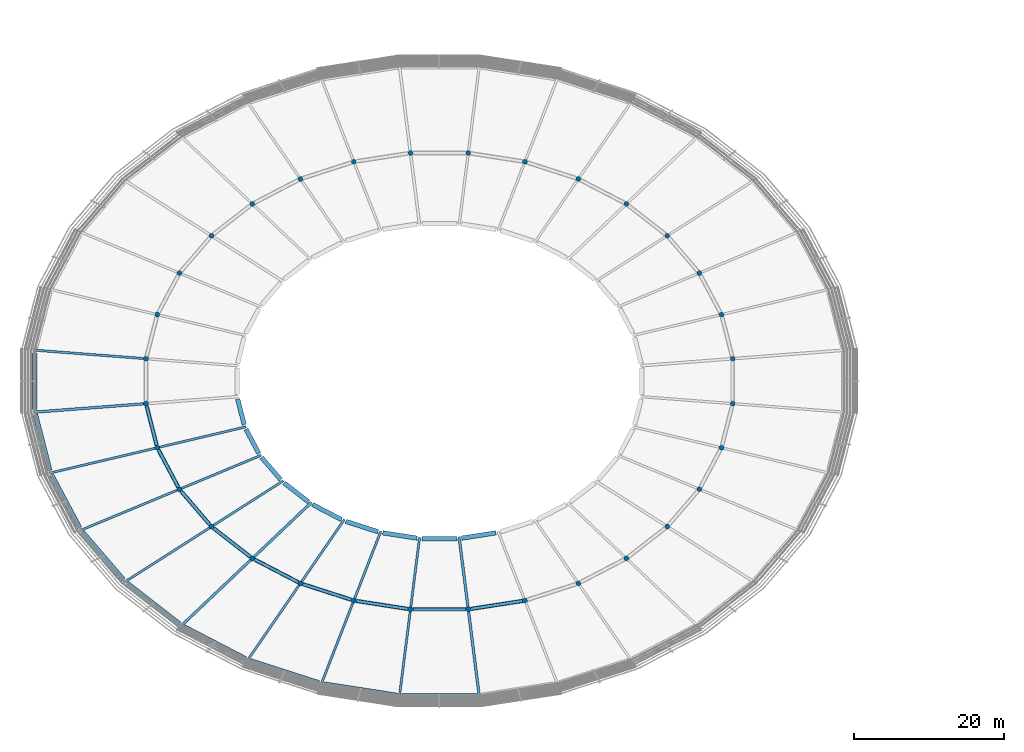
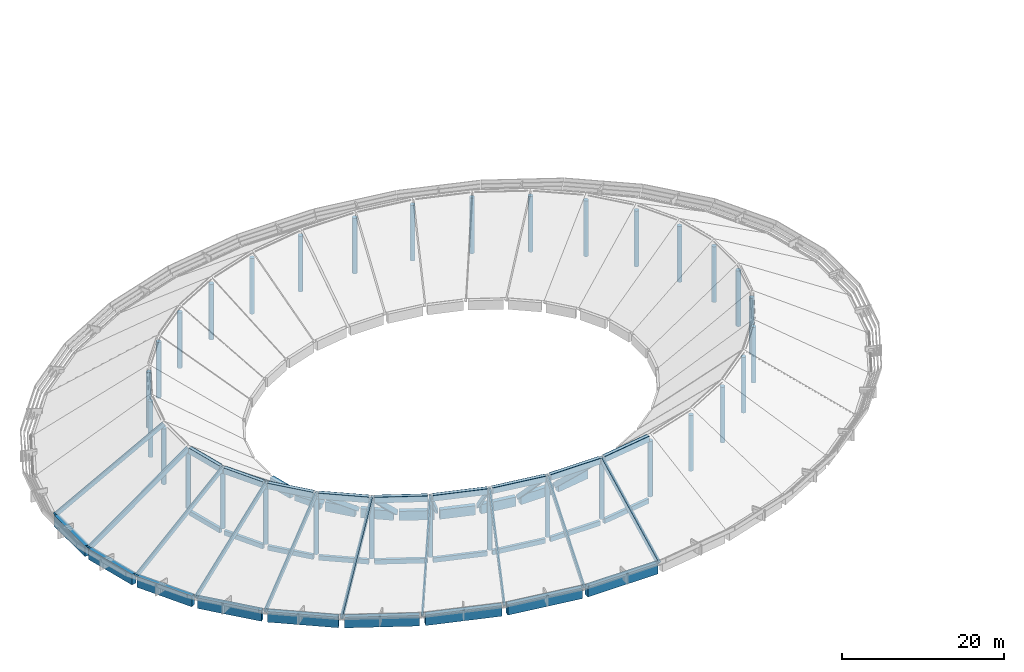
# One storey, part 1 of 15: 54 beams, 32 columns.
"""IFC4 building model written with IfcOpenShell, lengths in metres."""

from ifc_helpers import new_model, si_unit, direction, frame, origin, origin_2d, place, context, subcontext, project, spatial, rectangle, circle, extrude, material, material_profile, profile_set, type_object, element, save


model = new_model("IFC4")

# Units and contexts
model_context = context("Model", 3, precision=1e-05, world=origin(), true_north=direction((0.0, 1.0)))
body_context = subcontext(model_context, "Body", "Model", "MODEL_VIEW")
ifc_project = project(units=[si_unit("LENGTHUNIT", "METRE"), si_unit("AREAUNIT", "SQUARE_METRE"), si_unit("VOLUMEUNIT", "CUBIC_METRE"), si_unit("PLANEANGLEUNIT", "RADIAN"), si_unit("MASSUNIT", "GRAM", prefix="KILO")], contexts=[model_context])

# Site, building, storey
site_placement = place(None, origin())
site = spatial("IfcSite", under=ifc_project, at=site_placement, CompositionType="ELEMENT")
building_placement = place(site_placement, origin())
building = spatial("IfcBuilding", under=site, at=building_placement, Name="Corvandel Quay Wholesale Market", CompositionType="ELEMENT")
storey_placement = place(building_placement, frame((0.0, 0.0, 19.199951171875)))
storey = spatial("IfcBuildingStorey", under=building, at=storey_placement, Name="RF", CompositionType="ELEMENT", Elevation=19.199951171875)

# Columns
ifc_material = material(Name="Precast concrete C45/55", Category="concrete")
ifc_material_profile_1 = material_profile(ifc_material, circle(Radius=0.324951171875, at=origin_2d()), Name="PC-COL-D650")
ifc_profile_set_1 = profile_set([ifc_material_profile_1], Name="Precast concrete C45/55")
column_type = type_object("IfcColumnType", Name="Circular Gallery Column C12 D650", PredefinedType="COLUMN", material=ifc_profile_set_1)
for number, where, z_axis, x_axis, name in (
    (1, (153.14990234375, 44.9990234375, -4.199951171875), (0.0, 0.0, 1.0), (1.0, 0.0, 0.0), "Column COL-0007"),
    (2, (151.64501953125, 50.882080078125, -4.199951171875), (0.0, 0.0, 1.0), (1.0, 0.0, 0.0), "Column COL-0017"),
    (3, (148.694091796875, 56.423095703125, -4.199951171875), (0.0, 0.0, 1.0), (1.0, 0.0, 0.0), "Column COL-0027"),
    (4, (144.409912109375, 61.410888671875, -4.199951171875), (0.0, 0.0, 1.0), (1.0, 0.0, 0.0), "Column COL-0037"),
    (5, (138.95703125, 65.652099609375, -4.199951171875), (0.0, 0.0, 1.0), (1.0, 0.0, 0.0), "Column COL-0047"),
    (6, (132.5439453125, 68.98388671875, -4.199951171875), (0.0, 0.0, 1.0), (1.0, 0.0, 0.0), "Column COL-0057"),
    (7, (125.419921875, 71.280029296875, -4.199951171875), (0.0, 0.0, 1.0), (1.0, 0.0, 0.0), "Column COL-0067"),
    (8, (117.85595703125, 72.449951171875, -4.199951171875), (0.0, 0.0, 1.0), (1.0, 0.0, 0.0), "Column COL-0077"),
    (9, (110.14404296875, 72.449951171875, -4.199951171875), (0.0, 0.0, 1.0), (1.0, 0.0, 0.0), "Column COL-0087"),
    (10, (102.580078125, 71.280029296875, -4.199951171875), (0.0, 0.0, 1.0), (1.0, 0.0, 0.0), "Column COL-0097"),
    (11, (95.4560546875, 68.98388671875, -4.199951171875), (0.0, 0.0, 1.0), (1.0, 0.0, 0.0), "Column COL-0107"),
    (12, (89.04296875, 65.652099609375, -4.199951171875), (0.0, 0.0, 1.0), (1.0, 0.0, 0.0), "Column COL-0117"),
    (13, (83.590087890625, 61.410888671875, -4.199951171875), (0.0, 0.0, 1.0), (1.0, 0.0, 0.0), "Column COL-0127"),
    (14, (79.305908203125, 56.423095703125, -4.199951171875), (0.0, 0.0, 1.0), (1.0, 0.0, 0.0), "Column COL-0137"),
    (15, (76.35498046875, 50.882080078125, -4.199951171875), (0.0, 0.0, 1.0), (1.0, 0.0, 0.0), "Column COL-0147"),
    (16, (74.85009765625, 44.9990234375, -4.199951171875), (0.0, 0.0, 1.0), (1.0, 0.0, 0.0), "Column COL-0157"),
    (17, (74.85009765625, 39.0009765625, -4.199951171875), (0.0, 0.0, 1.0), (1.0, 0.0, 0.0), "Column COL-0167"),
    (18, (76.35498046875, 33.117919921875, -4.199951171875), (0.0, 0.0, 1.0), (1.0, 0.0, 0.0), "Column COL-0177"),
    (19, (79.305908203125, 27.576904296875, -4.199951171875), (0.0, 0.0, 1.0), (1.0, 0.0, 0.0), "Column COL-0187"),
    (20, (83.590087890625, 22.589111328125, -4.199951171875), (0.0, 0.0, 1.0), (1.0, 0.0, 0.0), "Column COL-0197"),
    (21, (89.04296875, 18.347900390625, -4.199951171875), (0.0, 0.0, 1.0), (1.0, 0.0, 0.0), "Column COL-0207"),
    (22, (95.4560546875, 15.01611328125, -4.199951171875), (0.0, 0.0, 1.0), (1.0, 0.0, 0.0), "Column COL-0217"),
    (23, (102.580078125, 12.719970703125, -4.199951171875), (0.0, 0.0, 1.0), (1.0, 0.0, 0.0), "Column COL-0227"),
    (24, (110.14404296875, 11.550048828125, -4.199951171875), (0.0, 0.0, 1.0), (1.0, 0.0, 0.0), "Column COL-0237"),
    (25, (117.85595703125, 11.550048828125, -4.199951171875), (0.0, 0.0, 1.0), (1.0, 0.0, 0.0), "Column COL-0247"),
    (26, (125.419921875, 12.719970703125, -4.199951171875), (0.0, 0.0, 1.0), (1.0, 0.0, 0.0), "Column COL-0257"),
    (27, (132.5439453125, 15.01611328125, -4.199951171875), (0.0, 0.0, 1.0), (1.0, 0.0, 0.0), "Column COL-0267"),
    (28, (138.95703125, 18.347900390625, -4.199951171875), (0.0, 0.0, 1.0), (1.0, 0.0, 0.0), "Column COL-0277"),
    (29, (144.409912109375, 22.589111328125, -4.199951171875), (0.0, 0.0, 1.0), (1.0, 0.0, 0.0), "Column COL-0287"),
    (30, (148.694091796875, 27.576904296875, -4.199951171875), (0.0, 0.0, 1.0), (1.0, 0.0, 0.0), "Column COL-0297"),
    (31, (151.64501953125, 33.117919921875, -4.199951171875), (0.0, 0.0, 1.0), (1.0, 0.0, 0.0), "Column COL-0307"),
    (32, (153.14990234375, 39.0009765625, -4.199951171875), (0.0, 0.0, 1.0), (1.0, 0.0, 0.0), "Column COL-0317"),
):
    element("IfcColumn", number, at=place(storey_placement, frame(where, z_axis=z_axis, x_axis=x_axis)), inside=storey, type_object=column_type, Name=name, PredefinedType="COLUMN", context=body_context, shape_type="SweptSolid", body=[
        extrude(circle(Radius=0.324951171875, at=origin_2d()), origin(), (0.0, 0.0, 1.0), 8.3798828125),
    ])

# Beams
ifc_material_profile_2 = material_profile(ifc_material, rectangle(XDim=0.60009765625, YDim=1.39990234375, at=origin_2d()), Name="PC-RING-600x1400")
ifc_profile_set_2 = profile_set([ifc_material_profile_2], Name="Precast concrete C45/55")
beam_type_1 = type_object("IfcBeamType", Name="Inner Yard Shell Ring Beam RB02 600x1400", PredefinedType="USERDEFINED", material=ifc_profile_set_2)
beam_1_placement = place(storey_placement, frame((87.079345703125, 39.6220703125, -4.89990234375), z_axis=(0.247875307866, -0.968791944512, 0.0), x_axis=(0.968791944512, 0.247875307866, 0.0)))
element("IfcBeam", 33, at=beam_1_placement, inside=storey, type_object=beam_type_1, Name="Beam BM-0215", ObjectType="GIRDER", PredefinedType="USERDEFINED", context=body_context, shape_type="SweptSolid", body=[
    extrude(rectangle(XDim=0.60009765625, YDim=1.39990234375, at=origin_2d()), origin(), (0.0, 0.0, 1.0), 3.547607421875),
])
beam_2_placement = place(storey_placement, frame((88.1884765625, 35.592529296875, -4.89990234375), z_axis=(0.469959676706, -0.882687884969, 0.0), x_axis=(0.882687884969, 0.469959676706, 0.0)))
element("IfcBeam", 34, at=beam_2_placement, inside=storey, type_object=beam_type_1, Name="Beam BM-0227", ObjectType="GIRDER", PredefinedType="USERDEFINED", context=body_context, shape_type="SweptSolid", body=[
    extrude(rectangle(XDim=0.60009765625, YDim=1.39990234375, at=origin_2d()), origin(), (0.0, 0.0, 1.0), 3.68994140625),
])
beam_3_placement = place(storey_placement, frame((90.281494140625, 31.810302734375, -4.89990234375), z_axis=(0.651616884039, -0.758548242655, 0.0), x_axis=(0.758548242655, 0.651616884039, 0.0)))
element("IfcBeam", 35, at=beam_3_placement, inside=storey, type_object=beam_type_1, Name="Beam BM-0239", ObjectType="GIRDER", PredefinedType="USERDEFINED", context=body_context, shape_type="SweptSolid", body=[
    extrude(rectangle(XDim=0.60009765625, YDim=1.39990234375, at=origin_2d()), origin(), (0.0, 0.0, 1.0), 3.89501953125),
])
beam_4_placement = place(storey_placement, frame((93.280517578125, 28.41650390625, -4.89990234375), z_axis=(0.789393650458, -0.6138873387, 0.0), x_axis=(0.6138873387, 0.789393650458, 0.0)))
element("IfcBeam", 36, at=beam_4_placement, inside=storey, type_object=beam_type_1, Name="Beam BM-0251", ObjectType="GIRDER", PredefinedType="USERDEFINED", context=body_context, shape_type="SweptSolid", body=[
    extrude(rectangle(XDim=0.60009765625, YDim=1.39990234375, at=origin_2d()), origin(), (0.0, 0.0, 1.0), 4.12451171875),
])
beam_5_placement = place(storey_placement, frame((97.072998046875, 25.540283203125, -4.89990234375), z_axis=(0.887348372729, -0.461099626346, 0.0), x_axis=(0.461099626346, 0.887348372729, 0.0)))
element("IfcBeam", 37, at=beam_5_placement, inside=storey, type_object=beam_type_1, Name="Beam BM-0263", ObjectType="GIRDER", PredefinedType="USERDEFINED", context=body_context, shape_type="SweptSolid", body=[
    extrude(rectangle(XDim=0.60009765625, YDim=1.39990234375, at=origin_2d()), origin(), (0.0, 0.0, 1.0), 4.34326171875),
])
beam_6_placement = place(storey_placement, frame((101.515625, 23.2919921875, -4.89990234375), z_axis=(0.951794583003, -0.306736159862, 0.0), x_axis=(0.306736159862, 0.951794583003, 0.0)))
element("IfcBeam", 38, at=beam_6_placement, inside=storey, type_object=beam_type_1, Name="Beam BM-0274", ObjectType="GIRDER", PredefinedType="USERDEFINED", context=body_context, shape_type="SweptSolid", body=[
    extrude(rectangle(XDim=0.60009765625, YDim=1.39990234375, at=origin_2d()), origin(), (0.0, 0.0, 1.0), 4.521728515625),
])
beam_7_placement = place(storey_placement, frame((106.440185546875, 21.758056640625, -4.89990234375), z_axis=(0.988245423633, -0.15287570987, 0.0), x_axis=(0.15287570987, 0.988245423633, 0.0)))
element("IfcBeam", 39, at=beam_7_placement, inside=storey, type_object=beam_type_1, Name="Beam BM-0286", ObjectType="GIRDER", PredefinedType="USERDEFINED", context=body_context, shape_type="SweptSolid", body=[
    extrude(rectangle(XDim=0.60009765625, YDim=1.39990234375, at=origin_2d()), origin(), (0.0, 0.0, 1.0), 4.63916015625),
])
beam_8_placement = place(storey_placement, frame((111.660888671875, 21.0, -4.89990234375), z_axis=(1.0, 0.0, 0.0), x_axis=(0.0, 1.0, 0.0)))
element("IfcBeam", 40, at=beam_8_placement, inside=storey, type_object=beam_type_1, Name="Beam BM-0297", ObjectType="GIRDER", PredefinedType="USERDEFINED", context=body_context, shape_type="SweptSolid", body=[
    extrude(rectangle(XDim=0.60009765625, YDim=1.39990234375, at=origin_2d()), origin(), (0.0, 0.0, 1.0), 4.67822265625),
])
beam_9_placement = place(storey_placement, frame((116.97509765625, 21.048828125, -4.89990234375), z_axis=(0.988245423633, 0.15287570987, 0.0), x_axis=(-0.15287570987, 0.988245423633, 0.0)))
element("IfcBeam", 41, at=beam_9_placement, inside=storey, type_object=beam_type_1, Name="Beam BM-0309", ObjectType="GIRDER", PredefinedType="USERDEFINED", context=body_context, shape_type="SweptSolid", body=[
    extrude(rectangle(XDim=0.60009765625, YDim=1.39990234375, at=origin_2d()), origin(), (0.0, 0.0, 1.0), 4.63916015625),
])
ifc_material_profile_3 = material_profile(ifc_material, rectangle(XDim=0.64990234375, YDim=1.60009765625, at=origin_2d()), Name="PC-RING-650x1600")
ifc_profile_set_3 = profile_set([ifc_material_profile_3], Name="Precast concrete C45/55")
beam_type_2 = type_object("IfcBeamType", Name="Outer Elliptical Shell Ring Beam RB01 650x1600", PredefinedType="USERDEFINED", material=ifc_profile_set_3)
beam_10_placement = place(storey_placement, frame((60.0, 45.7919921875, -5.0), z_axis=(0.0, -1.0, 0.0), x_axis=(1.0, 0.0, 0.0)))
element("IfcBeam", 42, at=beam_10_placement, inside=storey, type_object=beam_type_2, Name="Beam BM-0202", ObjectType="GIRDER", PredefinedType="USERDEFINED", context=body_context, shape_type="SweptSolid", body=[
    extrude(rectangle(XDim=0.64990234375, YDim=1.60009765625, at=origin_2d()), origin(), (0.0, 0.0, 1.0), 7.583984375),
])
beam_11_placement = place(storey_placement, frame((60.08544921875, 37.52880859375, -5.0), z_axis=(0.247756974273, -0.968822213669, 0.0), x_axis=(0.968822213669, 0.247756974273, 0.0)))
element("IfcBeam", 43, at=beam_11_placement, inside=storey, type_object=beam_type_2, Name="Beam BM-0214", ObjectType="GIRDER", PredefinedType="USERDEFINED", context=body_context, shape_type="SweptSolid", body=[
    extrude(rectangle(XDim=0.64990234375, YDim=1.60009765625, at=origin_2d()), origin(), (0.0, 0.0, 1.0), 7.68505859375),
])
beam_12_placement = place(storey_placement, frame((62.2373046875, 29.444580078125, -5.0), z_axis=(0.470101631757, -0.882612290771, 0.0), x_axis=(0.882612290771, 0.470101631757, 0.0)))
element("IfcBeam", 44, at=beam_12_placement, inside=storey, type_object=beam_type_2, Name="Beam BM-0226", ObjectType="GIRDER", PredefinedType="USERDEFINED", context=body_context, shape_type="SweptSolid", body=[
    extrude(rectangle(XDim=0.64990234375, YDim=1.60009765625, at=origin_2d()), origin(), (0.0, 0.0, 1.0), 7.9697265625),
])
beam_13_placement = place(storey_placement, frame((66.370849609375, 21.84423828125, -5.0), z_axis=(0.651594924137, -0.758567106352, 0.0), x_axis=(0.758567106352, 0.651594924137, 0.0)))
element("IfcBeam", 45, at=beam_13_placement, inside=storey, type_object=beam_type_2, Name="Beam BM-0238", ObjectType="GIRDER", PredefinedType="USERDEFINED", context=body_context, shape_type="SweptSolid", body=[
    extrude(rectangle(XDim=0.64990234375, YDim=1.60009765625, at=origin_2d()), origin(), (0.0, 0.0, 1.0), 8.378173828125),
])
beam_14_placement = place(storey_placement, frame((72.327392578125, 15.01513671875, -5.0), z_axis=(0.789326934586, -0.613973118578, 0.0), x_axis=(0.613973118578, 0.789326934586, 0.0)))
element("IfcBeam", 46, at=beam_14_placement, inside=storey, type_object=beam_type_2, Name="Beam BM-0250", ObjectType="GIRDER", PredefinedType="USERDEFINED", context=body_context, shape_type="SweptSolid", body=[
    extrude(rectangle(XDim=0.64990234375, YDim=1.60009765625, at=origin_2d()), origin(), (0.0, 0.0, 1.0), 8.839599609375),
])
beam_15_placement = place(storey_placement, frame((79.883056640625, 9.216796875, -5.0), z_axis=(0.887349906091, -0.461096675503, 0.0), x_axis=(0.461096675503, 0.887349906091, 0.0)))
element("IfcBeam", 47, at=beam_15_placement, inside=storey, type_object=beam_type_2, Name="Beam BM-0262", ObjectType="GIRDER", PredefinedType="USERDEFINED", context=body_context, shape_type="SweptSolid", body=[
    extrude(rectangle(XDim=0.64990234375, YDim=1.60009765625, at=origin_2d()), origin(), (0.0, 0.0, 1.0), 9.277099609375),
])
beam_16_placement = place(storey_placement, frame((88.74951171875, 4.67431640625, -5.0), z_axis=(0.951825090042, -0.306641481158, 0.0), x_axis=(0.306641481158, 0.951825090042, 0.0)))
element("IfcBeam", 48, at=beam_16_placement, inside=storey, type_object=beam_type_2, Name="Beam BM-0273", ObjectType="GIRDER", PredefinedType="USERDEFINED", context=body_context, shape_type="SweptSolid", body=[
    extrude(rectangle(XDim=0.64990234375, YDim=1.60009765625, at=origin_2d()), origin(), (0.0, 0.0, 1.0), 9.63525390625),
])
beam_17_placement = place(storey_placement, frame((98.58984375, 1.561279296875, -5.0), z_axis=(0.988241749204, -0.152899460859, 0.0), x_axis=(0.152899460859, 0.988241749204, 0.0)))
element("IfcBeam", 49, at=beam_17_placement, inside=storey, type_object=beam_type_2, Name="Beam BM-0285", ObjectType="GIRDER", PredefinedType="USERDEFINED", context=body_context, shape_type="SweptSolid", body=[
    extrude(rectangle(XDim=0.64990234375, YDim=1.60009765625, at=origin_2d()), origin(), (0.0, 0.0, 1.0), 9.8662109375),
])
beam_18_placement = place(storey_placement, frame((109.02587890625, 0.0, -5.0), z_axis=(1.0, 0.0, 0.0), x_axis=(0.0, 1.0, 0.0)))
element("IfcBeam", 50, at=beam_18_placement, inside=storey, type_object=beam_type_2, Name="Beam BM-0296", ObjectType="GIRDER", PredefinedType="USERDEFINED", context=body_context, shape_type="SweptSolid", body=[
    extrude(rectangle(XDim=0.64990234375, YDim=1.60009765625, at=origin_2d()), origin(), (0.0, 0.0, 1.0), 9.9482421875),
])
ifc_material_profile_4 = material_profile(ifc_material, rectangle(XDim=0.35009765625, YDim=0.699951171875, at=origin_2d()), Name="PC-RIB-350x700")
ifc_profile_set_4 = profile_set([ifc_material_profile_4], Name="Precast concrete C45/55")
beam_type_3 = type_object("IfcBeamType", Name="Primary Radial Shell Arch Rib AR01 350x700", PredefinedType="BEAM", material=ifc_profile_set_4)
beam_19_placement = place(storey_placement, frame((60.0, 37.863037109375, -4.52001953125), z_axis=(0.846756762178, 0.064885628983, 0.528008371957), x_axis=(-0.076404423709, 0.997076909791, 0.0)))
element("IfcBeam", 51, at=beam_19_placement, inside=storey, type_object=beam_type_3, Name="Beam BM-0443", PredefinedType="BEAM", context=body_context, shape_type="SweptSolid", body=[
    extrude(rectangle(XDim=0.35009765625, YDim=0.699951171875, at=origin_2d()), origin(), (0.0, 0.0, 1.0), 17.53759765625),
])
beam_20_placement = place(storey_placement, frame((79.576904296875, 9.3759765625, -4.52001953125), z_axis=(0.591802925722, 0.560910058994, 0.578920722402), x_axis=(-0.687909221922, 0.72579673628, 0.0)))
element("IfcBeam", 52, at=beam_20_placement, inside=storey, type_object=beam_type_3, Name="Beam BM-0455", PredefinedType="BEAM", context=body_context, shape_type="SweptSolid", body=[
    extrude(rectangle(XDim=0.35009765625, YDim=0.699951171875, at=origin_2d()), origin(), (0.0, 0.0, 1.0), 15.995361328125),
])
beam_21_placement = place(storey_placement, frame((96.7890625, 25.68798828125, -4.52001953125), z_axis=(-0.548243512081, -0.519507727897, 0.655393600912), x_axis=(0.687827772453, -0.725873925308, 0.0)))
element("IfcBeam", 53, at=beam_21_placement, inside=storey, type_object=beam_type_3, Name="Beam BM-0456", PredefinedType="BEAM", context=body_context, shape_type="SweptSolid", body=[
    extrude(rectangle(XDim=0.35009765625, YDim=0.699951171875, at=origin_2d()), origin(), (0.0, 0.0, 1.0), 14.12890625),
])
beam_22_placement = place(storey_placement, frame((119.319091796875, 0.0, -4.52001953125), z_axis=(-0.098356100915, 0.776427294876, 0.622484323646), x_axis=(-0.992071662114, -0.125673454756, 0.0)))
element("IfcBeam", 54, at=beam_22_placement, inside=storey, type_object=beam_type_3, Name="Beam BM-0467", PredefinedType="BEAM", context=body_context, shape_type="SweptSolid", body=[
    extrude(rectangle(XDim=0.35009765625, YDim=0.699951171875, at=origin_2d()), origin(), (0.0, 0.0, 1.0), 14.8759765625),
])
beam_23_placement = place(storey_placement, frame((116.658935546875, 21.0, -4.52001953125), z_axis=(0.090105534682, -0.711343041188, 0.697045242701), x_axis=(0.992072676886, 0.125665443842, 0.0)))
element("IfcBeam", 55, at=beam_23_placement, inside=storey, type_object=beam_type_3, Name="Beam BM-0468", PredefinedType="BEAM", context=body_context, shape_type="SweptSolid", body=[
    extrude(rectangle(XDim=0.35009765625, YDim=0.699951171875, at=origin_2d()), origin(), (0.0, 0.0, 1.0), 13.28466796875),
])
ifc_material_profile_5 = material_profile(ifc_material, rectangle(XDim=0.39990234375, YDim=0.699951171875, at=origin_2d()), Name="PC-GIR-400x700")
ifc_profile_set_5 = profile_set([ifc_material_profile_5], Name="Precast concrete C45/55")
beam_type_4 = type_object("IfcBeamType", Name="Roof Deck Primary Girder G07 400x700", PredefinedType="USERDEFINED", material=ifc_profile_set_5)
beam_24_placement = place(storey_placement, frame((74.92919921875, 38.69091796875, -4.75), z_axis=(0.247850907056, -0.96879818738, 0.0), x_axis=(0.96879818738, 0.247850907056, 0.0)))
element("IfcBeam", 56, at=beam_24_placement, inside=storey, type_object=beam_type_4, Name="Beam BM-0216", ObjectType="GIRDER", PredefinedType="USERDEFINED", context=body_context, shape_type="SweptSolid", body=[
    extrude(rectangle(XDim=0.39990234375, YDim=0.699951171875, at=origin_2d()), origin(), (0.0, 0.0, 1.0), 5.432373046875),
])
beam_25_placement = place(storey_placement, frame((76.50537109375, 32.835693359375, -4.75), z_axis=(0.470050984637, -0.882639264842, 0.0), x_axis=(0.882639264842, 0.470050984637, 0.0)))
element("IfcBeam", 57, at=beam_25_placement, inside=storey, type_object=beam_type_4, Name="Beam BM-0228", ObjectType="GIRDER", PredefinedType="USERDEFINED", context=body_context, shape_type="SweptSolid", body=[
    extrude(rectangle(XDim=0.39990234375, YDim=0.699951171875, at=origin_2d()), origin(), (0.0, 0.0, 1.0), 5.637939453125),
])
beam_26_placement = place(storey_placement, frame((79.514404296875, 27.334228515625, -4.75), z_axis=(0.651563389062, -0.758594193251, 0.0), x_axis=(0.758594193251, 0.651563389062, 0.0)))
element("IfcBeam", 58, at=beam_26_placement, inside=storey, type_object=beam_type_4, Name="Beam BM-0240", ObjectType="GIRDER", PredefinedType="USERDEFINED", context=body_context, shape_type="SweptSolid", body=[
    extrude(rectangle(XDim=0.39990234375, YDim=0.699951171875, at=origin_2d()), origin(), (0.0, 0.0, 1.0), 5.935302734375),
])
beam_27_placement = place(storey_placement, frame((83.842529296875, 22.392578125, -4.75), z_axis=(0.789360606532, -0.613929827305, 0.0), x_axis=(0.613929827305, 0.789360606532, 0.0)))
element("IfcBeam", 59, at=beam_27_placement, inside=storey, type_object=beam_type_4, Name="Beam BM-0252", ObjectType="GIRDER", PredefinedType="USERDEFINED", context=body_context, shape_type="SweptSolid", body=[
    extrude(rectangle(XDim=0.39990234375, YDim=0.699951171875, at=origin_2d()), origin(), (0.0, 0.0, 1.0), 6.26806640625),
])
beam_28_placement = place(storey_placement, frame((89.326904296875, 18.200439453125, -4.75), z_axis=(0.88738119792, -0.461036451463, 0.0), x_axis=(0.461036451463, 0.88738119792, 0.0)))
element("IfcBeam", 60, at=beam_28_placement, inside=storey, type_object=beam_type_4, Name="Beam BM-0264", ObjectType="GIRDER", PredefinedType="USERDEFINED", context=body_context, shape_type="SweptSolid", body=[
    extrude(rectangle(XDim=0.39990234375, YDim=0.699951171875, at=origin_2d()), origin(), (0.0, 0.0, 1.0), 6.587158203125),
])
beam_29_placement = place(storey_placement, frame((95.760498046875, 14.917724609375, -4.75), z_axis=(0.951792624753, -0.306742236195, 0.0), x_axis=(0.306742236195, 0.951792624753, 0.0)))
element("IfcBeam", 61, at=beam_29_placement, inside=storey, type_object=beam_type_4, Name="Beam BM-0275", ObjectType="GIRDER", PredefinedType="USERDEFINED", context=body_context, shape_type="SweptSolid", body=[
    extrude(rectangle(XDim=0.39990234375, YDim=0.699951171875, at=origin_2d()), origin(), (0.0, 0.0, 1.0), 6.844970703125),
])
beam_30_placement = place(storey_placement, frame((102.896240234375, 12.671142578125, -4.75), z_axis=(0.988245813427, -0.152873190074, 0.0), x_axis=(0.152873190074, 0.988245813427, 0.0)))
element("IfcBeam", 62, at=beam_30_placement, inside=storey, type_object=beam_type_4, Name="Beam BM-0287", ObjectType="GIRDER", PredefinedType="USERDEFINED", context=body_context, shape_type="SweptSolid", body=[
    extrude(rectangle(XDim=0.39990234375, YDim=0.699951171875, at=origin_2d()), origin(), (0.0, 0.0, 1.0), 7.01416015625),
])
beam_31_placement = place(storey_placement, frame((110.464111328125, 11.550048828125, -4.75), z_axis=(1.0, 0.0, 0.0), x_axis=(0.0, 1.0, 0.0)))
element("IfcBeam", 63, at=beam_31_placement, inside=storey, type_object=beam_type_4, Name="Beam BM-0298", ObjectType="GIRDER", PredefinedType="USERDEFINED", context=body_context, shape_type="SweptSolid", body=[
    extrude(rectangle(XDim=0.39990234375, YDim=0.699951171875, at=origin_2d()), origin(), (0.0, 0.0, 1.0), 7.07177734375),
])
beam_32_placement = place(storey_placement, frame((118.172119140625, 11.598876953125, -4.75), z_axis=(0.988245813427, 0.152873190074, 0.0), x_axis=(-0.152873190074, 0.988245813427, 0.0)))
element("IfcBeam", 64, at=beam_32_placement, inside=storey, type_object=beam_type_4, Name="Beam BM-0310", ObjectType="GIRDER", PredefinedType="USERDEFINED", context=body_context, shape_type="SweptSolid", body=[
    extrude(rectangle(XDim=0.39990234375, YDim=0.699951171875, at=origin_2d()), origin(), (0.0, 0.0, 1.0), 7.01416015625),
])
ifc_material_profile_6 = material_profile(ifc_material, rectangle(XDim=0.300048828125, YDim=0.60009765625, at=origin_2d()), Name="PC-RIB-300x600")
ifc_profile_set_6 = profile_set([ifc_material_profile_6], Name="Precast concrete C45/55")
beam_type_5 = type_object("IfcBeamType", Name="Secondary Radial Shell Arch Rib AR02 300x600", PredefinedType="BEAM", material=ifc_profile_set_6)
beam_33_placement = place(storey_placement, frame((60.0, 46.136962890625, -4.469970703125), z_axis=(0.846756762178, -0.064885628983, 0.528008371957), x_axis=(0.076404423709, 0.997076909791, 0.0)))
element("IfcBeam", 65, at=beam_33_placement, inside=storey, type_object=beam_type_5, Name="Beam BM-0440", PredefinedType="BEAM", context=body_context, shape_type="SweptSolid", body=[
    extrude(rectangle(XDim=0.300048828125, YDim=0.60009765625, at=origin_2d()), origin(), (0.0, 0.0, 1.0), 17.53759765625),
])
beam_34_placement = place(storey_placement, frame((62.074951171875, 29.7490234375, -4.469970703125), z_axis=(0.823064672191, 0.194174649289, 0.533723477997), x_axis=(-0.22961339626, 0.973281916126, 0.0)))
element("IfcBeam", 66, at=beam_34_placement, inside=storey, type_object=beam_type_5, Name="Beam BM-0446", PredefinedType="BEAM", context=body_context, shape_type="SweptSolid", body=[
    extrude(rectangle(XDim=0.300048828125, YDim=0.60009765625, at=origin_2d()), origin(), (0.0, 0.0, 1.0), 17.349853515625),
])
beam_35_placement = place(storey_placement, frame((88.0380859375, 35.875, -4.469970703125), z_axis=(-0.770622170488, -0.181858071871, 0.610793837598), x_axis=(0.229679772076, -0.973266254577, 0.0)))
element("IfcBeam", 67, at=beam_35_placement, inside=storey, type_object=beam_type_5, Name="Beam BM-0447", PredefinedType="BEAM", context=body_context, shape_type="SweptSolid", body=[
    extrude(rectangle(XDim=0.300048828125, YDim=0.60009765625, at=origin_2d()), origin(), (0.0, 0.0, 1.0), 15.16064453125),
])
beam_36_placement = place(storey_placement, frame((66.14599609375, 22.10595703125, -4.469970703125), z_axis=(0.774296921555, 0.321897106193, 0.544836241724), x_axis=(-0.383876927754, 0.923384266889, 0.0)))
element("IfcBeam", 68, at=beam_36_placement, inside=storey, type_object=beam_type_5, Name="Beam BM-0449", PredefinedType="BEAM", context=body_context, shape_type="SweptSolid", body=[
    extrude(rectangle(XDim=0.300048828125, YDim=0.60009765625, at=origin_2d()), origin(), (0.0, 0.0, 1.0), 16.995849609375),
])
beam_37_placement = place(storey_placement, frame((90.072998046875, 32.052978515625, -4.469970703125), z_axis=(-0.723106920211, -0.300608640768, 0.621892938567), x_axis=(0.383868940752, -0.923387587271, 0.0)))
element("IfcBeam", 69, at=beam_37_placement, inside=storey, type_object=beam_type_5, Name="Beam BM-0450", PredefinedType="BEAM", context=body_context, shape_type="SweptSolid", body=[
    extrude(rectangle(XDim=0.300048828125, YDim=0.60009765625, at=origin_2d()), origin(), (0.0, 0.0, 1.0), 14.89013671875),
])
beam_38_placement = place(storey_placement, frame((72.054931640625, 15.22705078125, -4.469970703125), z_axis=(0.698129767083, 0.445566016051, 0.560433540799), x_axis=(-0.537993647412, 0.842948892486, 0.0)))
element("IfcBeam", 70, at=beam_38_placement, inside=storey, type_object=beam_type_5, Name="Beam BM-0452", PredefinedType="BEAM", context=body_context, shape_type="SweptSolid", body=[
    extrude(rectangle(XDim=0.300048828125, YDim=0.60009765625, at=origin_2d()), origin(), (0.0, 0.0, 1.0), 16.52294921875),
])
beam_39_placement = place(storey_placement, frame((93.028076171875, 28.613037109375, -4.469970703125), z_axis=(-0.649566941782, -0.41459503134, 0.637317619506), x_axis=(0.538015015457, -0.842935254419, 0.0)))
element("IfcBeam", 71, at=beam_39_placement, inside=storey, type_object=beam_type_5, Name="Beam BM-0453", PredefinedType="BEAM", context=body_context, shape_type="SweptSolid", body=[
    extrude(rectangle(XDim=0.300048828125, YDim=0.60009765625, at=origin_2d()), origin(), (0.0, 0.0, 1.0), 14.529541015625),
])
beam_40_placement = place(storey_placement, frame((88.4208984375, 4.780029296875, -4.469970703125), z_axis=(0.454099768617, 0.66071075093, 0.597707874926), x_axis=(-0.824122782292, 0.566411193134, 0.0)))
element("IfcBeam", 72, at=beam_40_placement, inside=storey, type_object=beam_type_5, Name="Beam BM-0458", PredefinedType="BEAM", context=body_context, shape_type="SweptSolid", body=[
    extrude(rectangle(XDim=0.300048828125, YDim=0.60009765625, at=origin_2d()), origin(), (0.0, 0.0, 1.0), 15.492431640625),
])
beam_41_placement = place(storey_placement, frame((101.2109375, 23.389892578125, -4.469970703125), z_axis=(-0.418620928188, -0.6091243516, 0.673590411727), x_axis=(0.824137960807, -0.566389107908, 0.0)))
element("IfcBeam", 73, at=beam_41_placement, inside=storey, type_object=beam_type_5, Name="Beam BM-0459", PredefinedType="BEAM", context=body_context, shape_type="SweptSolid", body=[
    extrude(rectangle(XDim=0.300048828125, YDim=0.60009765625, at=origin_2d()), origin(), (0.0, 0.0, 1.0), 13.747314453125),
])
beam_42_placement = place(storey_placement, frame((98.2490234375, 1.614013671875, -4.469970703125), z_axis=(0.286926700723, 0.735755107998, 0.613463519263), x_axis=(-0.931662181127, 0.363325721987, 0.0)))
element("IfcBeam", 74, at=beam_42_placement, inside=storey, type_object=beam_type_5, Name="Beam BM-0461", PredefinedType="BEAM", context=body_context, shape_type="SweptSolid", body=[
    extrude(rectangle(XDim=0.300048828125, YDim=0.60009765625, at=origin_2d()), origin(), (0.0, 0.0, 1.0), 15.0947265625),
])
beam_43_placement = place(storey_placement, frame((106.1240234375, 21.806884765625, -4.469970703125), z_axis=(-0.263507228682, -0.675650251553, 0.688520644577), x_axis=(0.931652860438, -0.363349621766, 0.0)))
element("IfcBeam", 75, at=beam_43_placement, inside=storey, type_object=beam_type_5, Name="Beam BM-0462", PredefinedType="BEAM", context=body_context, shape_type="SweptSolid", body=[
    extrude(rectangle(XDim=0.300048828125, YDim=0.60009765625, at=origin_2d()), origin(), (0.0, 0.0, 1.0), 13.44921875),
])
beam_44_placement = place(storey_placement, frame((108.680908203125, 0.0, -4.469970703125), z_axis=(0.098356100915, 0.776427294876, 0.622484323646), x_axis=(-0.992071662114, 0.125673454756, 0.0)))
element("IfcBeam", 76, at=beam_44_placement, inside=storey, type_object=beam_type_5, Name="Beam BM-0464", PredefinedType="BEAM", context=body_context, shape_type="SweptSolid", body=[
    extrude(rectangle(XDim=0.300048828125, YDim=0.60009765625, at=origin_2d()), origin(), (0.0, 0.0, 1.0), 14.8759765625),
])
beam_45_placement = place(storey_placement, frame((111.341064453125, 21.0, -4.469970703125), z_axis=(-0.090105534682, -0.711343041188, 0.697045242701), x_axis=(0.992072676886, -0.125665443842, 0.0)))
element("IfcBeam", 77, at=beam_45_placement, inside=storey, type_object=beam_type_5, Name="Beam BM-0465", PredefinedType="BEAM", context=body_context, shape_type="SweptSolid", body=[
    extrude(rectangle(XDim=0.300048828125, YDim=0.60009765625, at=origin_2d()), origin(), (0.0, 0.0, 1.0), 13.28466796875),
])
ifc_material_profile_7 = material_profile(ifc_material, rectangle(XDim=0.5, YDim=0.89990234375, at=origin_2d()), Name="PC-RING-500x900")
ifc_profile_set_7 = profile_set([ifc_material_profile_7], Name="Precast concrete C45/55")
beam_type_6 = type_object("IfcBeamType", Name="Shell Crown Compression Ring RB03 500x900", PredefinedType="USERDEFINED", material=ifc_profile_set_7)
beam_46_placement = place(storey_placement, frame((74.92919921875, 38.69091796875, 4.610107421875), z_axis=(0.247850907056, -0.96879818738, 0.0), x_axis=(0.96879818738, 0.247850907056, 0.0)))
element("IfcBeam", 78, at=beam_46_placement, inside=storey, type_object=beam_type_6, Name="Beam BM-0442", ObjectType="GIRDER", PredefinedType="USERDEFINED", context=body_context, shape_type="SweptSolid", body=[
    extrude(rectangle(XDim=0.5, YDim=0.89990234375, at=origin_2d()), origin(), (0.0, 0.0, 1.0), 5.432373046875),
])
beam_47_placement = place(storey_placement, frame((76.50537109375, 32.835693359375, 4.610107421875), z_axis=(0.470050984637, -0.882639264842, 0.0), x_axis=(0.882639264842, 0.470050984637, 0.0)))
element("IfcBeam", 79, at=beam_47_placement, inside=storey, type_object=beam_type_6, Name="Beam BM-0445", ObjectType="GIRDER", PredefinedType="USERDEFINED", context=body_context, shape_type="SweptSolid", body=[
    extrude(rectangle(XDim=0.5, YDim=0.89990234375, at=origin_2d()), origin(), (0.0, 0.0, 1.0), 5.637939453125),
])
beam_48_placement = place(storey_placement, frame((79.514404296875, 27.334228515625, 4.610107421875), z_axis=(0.651563389062, -0.758594193251, 0.0), x_axis=(0.758594193251, 0.651563389062, 0.0)))
element("IfcBeam", 80, at=beam_48_placement, inside=storey, type_object=beam_type_6, Name="Beam BM-0448", ObjectType="GIRDER", PredefinedType="USERDEFINED", context=body_context, shape_type="SweptSolid", body=[
    extrude(rectangle(XDim=0.5, YDim=0.89990234375, at=origin_2d()), origin(), (0.0, 0.0, 1.0), 5.935302734375),
])
beam_49_placement = place(storey_placement, frame((83.842529296875, 22.392578125, 4.610107421875), z_axis=(0.789360606532, -0.613929827305, 0.0), x_axis=(0.613929827305, 0.789360606532, 0.0)))
element("IfcBeam", 81, at=beam_49_placement, inside=storey, type_object=beam_type_6, Name="Beam BM-0451", ObjectType="GIRDER", PredefinedType="USERDEFINED", context=body_context, shape_type="SweptSolid", body=[
    extrude(rectangle(XDim=0.5, YDim=0.89990234375, at=origin_2d()), origin(), (0.0, 0.0, 1.0), 6.26806640625),
])
beam_50_placement = place(storey_placement, frame((89.326904296875, 18.200439453125, 4.610107421875), z_axis=(0.88738119792, -0.461036451463, 0.0), x_axis=(0.461036451463, 0.88738119792, 0.0)))
element("IfcBeam", 82, at=beam_50_placement, inside=storey, type_object=beam_type_6, Name="Beam BM-0454", ObjectType="GIRDER", PredefinedType="USERDEFINED", context=body_context, shape_type="SweptSolid", body=[
    extrude(rectangle(XDim=0.5, YDim=0.89990234375, at=origin_2d()), origin(), (0.0, 0.0, 1.0), 6.587158203125),
])
beam_51_placement = place(storey_placement, frame((95.760498046875, 14.917724609375, 4.610107421875), z_axis=(0.951792624753, -0.306742236195, 0.0), x_axis=(0.306742236195, 0.951792624753, 0.0)))
element("IfcBeam", 83, at=beam_51_placement, inside=storey, type_object=beam_type_6, Name="Beam BM-0457", ObjectType="GIRDER", PredefinedType="USERDEFINED", context=body_context, shape_type="SweptSolid", body=[
    extrude(rectangle(XDim=0.5, YDim=0.89990234375, at=origin_2d()), origin(), (0.0, 0.0, 1.0), 6.844970703125),
])
beam_52_placement = place(storey_placement, frame((102.896240234375, 12.671142578125, 4.610107421875), z_axis=(0.988245813427, -0.152873190074, 0.0), x_axis=(0.152873190074, 0.988245813427, 0.0)))
element("IfcBeam", 84, at=beam_52_placement, inside=storey, type_object=beam_type_6, Name="Beam BM-0460", ObjectType="GIRDER", PredefinedType="USERDEFINED", context=body_context, shape_type="SweptSolid", body=[
    extrude(rectangle(XDim=0.5, YDim=0.89990234375, at=origin_2d()), origin(), (0.0, 0.0, 1.0), 7.01416015625),
])
beam_53_placement = place(storey_placement, frame((110.464111328125, 11.550048828125, 4.610107421875), z_axis=(1.0, 0.0, 0.0), x_axis=(0.0, 1.0, 0.0)))
element("IfcBeam", 85, at=beam_53_placement, inside=storey, type_object=beam_type_6, Name="Beam BM-0463", ObjectType="GIRDER", PredefinedType="USERDEFINED", context=body_context, shape_type="SweptSolid", body=[
    extrude(rectangle(XDim=0.5, YDim=0.89990234375, at=origin_2d()), origin(), (0.0, 0.0, 1.0), 7.07177734375),
])
beam_54_placement = place(storey_placement, frame((118.172119140625, 11.598876953125, 4.610107421875), z_axis=(0.988245813427, 0.152873190074, 0.0), x_axis=(-0.152873190074, 0.988245813427, 0.0)))
element("IfcBeam", 86, at=beam_54_placement, inside=storey, type_object=beam_type_6, Name="Beam BM-0466", ObjectType="GIRDER", PredefinedType="USERDEFINED", context=body_context, shape_type="SweptSolid", body=[
    extrude(rectangle(XDim=0.5, YDim=0.89990234375, at=origin_2d()), origin(), (0.0, 0.0, 1.0), 7.01416015625),
])

save(model, "model.ifc")
